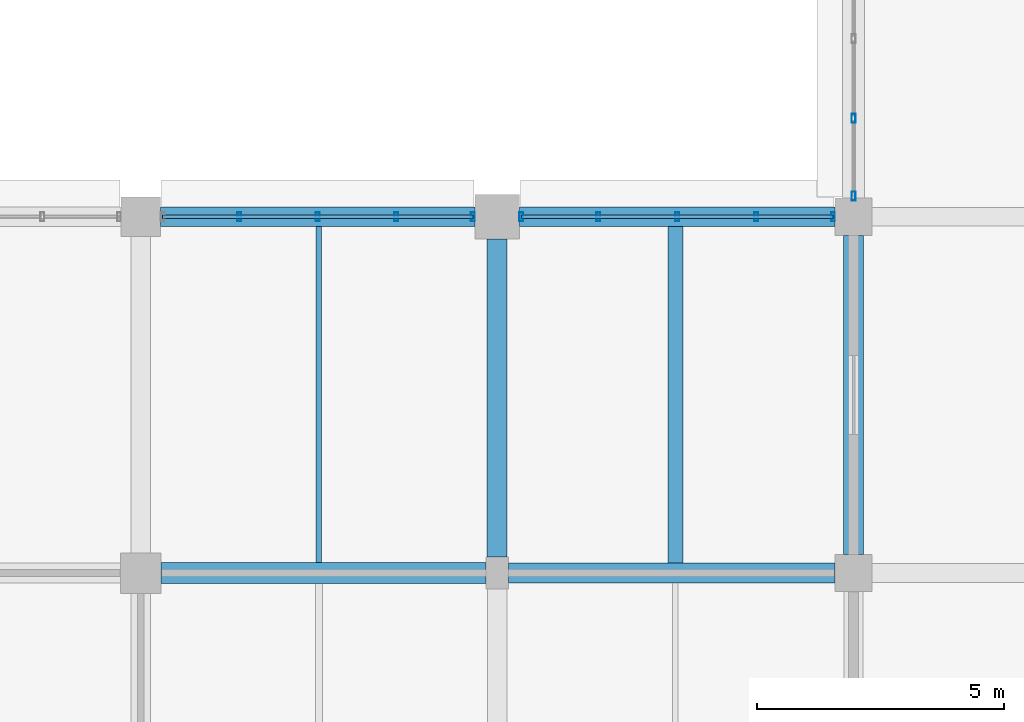
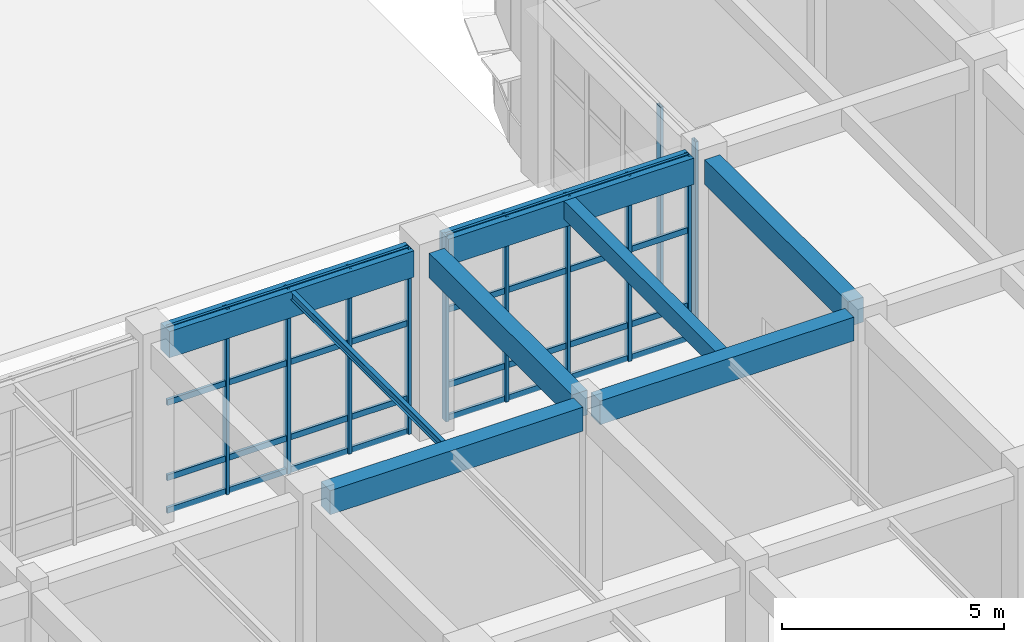
# One storey, part 18 of 160: 19 members, 8 beams, 3 elements without a shape of their own.
"""IFC4 building model written with IfcOpenShell, lengths in metres."""

from ifc_helpers import new_model, si_unit, direction, frame, origin, origin_2d, place, context, subcontext, project, spatial, rectangle, hollow_rectangle, i_section, extrude, material, material_profile, profile_set, type_object, element, aggregate, save


model = new_model("IFC4")

# Units and contexts
model_context = context("Model", 3, precision=1e-05, world=origin(), true_north=direction((0.0, 1.0)))
body_context = subcontext(model_context, "Body", "Model", "MODEL_VIEW")
ifc_project = project(units=[si_unit("LENGTHUNIT", "METRE"), si_unit("AREAUNIT", "SQUARE_METRE"), si_unit("VOLUMEUNIT", "CUBIC_METRE"), si_unit("PLANEANGLEUNIT", "RADIAN"), si_unit("MASSUNIT", "GRAM", prefix="KILO")], contexts=[model_context])

# Site, building, storey
site_placement = place(None, origin())
site = spatial("IfcSite", under=ifc_project, at=site_placement, CompositionType="ELEMENT")
building_placement = place(site_placement, origin())
building = spatial("IfcBuilding", under=site, at=building_placement, Name="Thalmaran Polytechnic", CompositionType="ELEMENT")
storey_placement = place(building_placement, origin())
storey = spatial("IfcBuildingStorey", under=building, at=storey_placement, Name="L00", CompositionType="ELEMENT", Elevation=0.0)

# Beams
ifc_material_1 = material(Name="Concrete C40/50", Category="concrete")
ifc_material_profile_1 = material_profile(ifc_material_1, rectangle(XDim=0.39990234375, YDim=0.64990234375, at=origin_2d()), Name="RC 400x650")
ifc_profile_set_1 = profile_set([ifc_material_profile_1], Name="Concrete C40/50")
beam_type_1 = type_object("IfcBeamType", Name="BM-RC06", PredefinedType="BEAM", material=ifc_profile_set_1)
beam_1_placement = place(storey_placement, frame((50.625, 14.39990234375, 4.764892578125), z_axis=(1.0, 0.0, 0.0), x_axis=(0.0, 1.0, 0.0)))
element("IfcBeam", 1, at=beam_1_placement, inside=storey, type_object=beam_type_1, Name="Grid Beam B06 L00 X(7,2)", PredefinedType="BEAM", context=body_context, shape_type="SweptSolid", body=[
    extrude(rectangle(XDim=0.39990234375, YDim=0.64990234375, at=origin_2d()), origin(), (0.0, 0.0, 1.0), 6.60009765625),
])
ifc_material_profile_2 = material_profile(ifc_material_1, rectangle(XDim=0.300048828125, YDim=0.5, at=origin_2d()), Name="RC 300x500")
ifc_profile_set_2 = profile_set([ifc_material_profile_2], Name="Concrete C40/50")
beam_type_2 = type_object("IfcBeamType", Name="BM-RC11", PredefinedType="JOIST", material=ifc_profile_set_2)
beam_2_placement = place(storey_placement, frame((54.0, 14.60009765625, 4.840087890625), z_axis=(0.0, 1.0, 0.0), x_axis=(-1.0, 0.0, 0.0)))
element("IfcBeam", 2, at=beam_2_placement, inside=storey, type_object=beam_type_2, Name="Secondary Floor Rib RB01 L00 (7,2)", PredefinedType="JOIST", context=body_context, shape_type="SweptSolid", body=[
    extrude(rectangle(XDim=0.300048828125, YDim=0.5, at=origin_2d()), origin(), (0.0, 0.0, 1.0), 6.7998046875),
])
ifc_material_2 = material(Name="Steel S355", Category="steel")
ifc_material_profile_3 = material_profile(ifc_material_2, i_section(OverallWidth=0.110107421875, OverallDepth=0.219970703125, WebThickness=0.005859375, FlangeThickness=0.00927734375, at=origin_2d()), Name="IPE 220")
ifc_profile_set_3 = profile_set([ifc_material_profile_3], Name="Steel S355")
beam_type_3 = type_object("IfcBeamType", Name="BM-SJ04", PredefinedType="JOIST", material=ifc_profile_set_3)
beam_3_placement = place(storey_placement, frame((46.800048828125, 14.610107421875, 4.97998046875), z_axis=(0.0, 1.0, 0.0), x_axis=(-1.0, 0.0, 0.0)))
element("IfcBeam", 3, at=beam_3_placement, inside=storey, type_object=beam_type_3, Name="Secondary Floor Rib SJ04 L00 (6,2)", PredefinedType="JOIST", context=body_context, shape_type="SweptSolid", body=[
    extrude(i_section(OverallWidth=0.110107421875, OverallDepth=0.219970703125, WebThickness=0.005859375, FlangeThickness=0.00927734375, at=origin_2d()), origin(), (0.0, 0.0, 1.0), 6.789794921875),
])
ifc_material_profile_4 = material_profile(ifc_material_1, rectangle(XDim=0.39990234375, YDim=0.719970703125, at=origin_2d()), Name="RC 400x720")
ifc_profile_set_4 = profile_set([ifc_material_profile_4], Name="Concrete C40/50")
beam_type_4 = type_object("IfcBeamType", Name="BM-SP01", PredefinedType="SPANDREL", material=ifc_profile_set_4)
beam_4_placement = place(storey_placement, frame((43.60009765625, 21.60009765625, 4.72998046875), z_axis=(1.0, 0.0, 0.0), x_axis=(0.0, 1.0, 0.0)))
element("IfcBeam", 4, at=beam_4_placement, inside=storey, type_object=beam_type_4, Name="Grid Beam SP01 L00 X(6,3)", PredefinedType="SPANDREL", context=body_context, shape_type="SweptSolid", body=[
    extrude(rectangle(XDim=0.39990234375, YDim=0.719970703125, at=origin_2d()), origin(), (0.0, 0.0, 1.0), 6.349853515625),
])
beam_5_placement = place(storey_placement, frame((50.85009765625, 21.60009765625, 4.72998046875), z_axis=(1.0, 0.0, 0.0), x_axis=(0.0, 1.0, 0.0)))
element("IfcBeam", 5, at=beam_5_placement, inside=storey, type_object=beam_type_4, Name="Grid Beam SP01 L00 X(7,3)", PredefinedType="SPANDREL", context=body_context, shape_type="SweptSolid", body=[
    extrude(rectangle(XDim=0.39990234375, YDim=0.719970703125, at=origin_2d()), origin(), (0.0, 0.0, 1.0), 6.375),
])
ifc_material_profile_5 = material_profile(ifc_material_1, rectangle(XDim=0.419921875, YDim=0.659912109375, at=origin_2d()), Name="RC 420x660")
ifc_profile_set_5 = profile_set([ifc_material_profile_5], Name="Concrete C40/50")
beam_type_5 = type_object("IfcBeamType", Name="BM-ZB04", PredefinedType="BEAM", material=ifc_profile_set_5)
beam_6_placement = place(storey_placement, frame((43.610107421875, 14.39990234375, 4.760009765625), z_axis=(1.0, 0.0, 0.0), x_axis=(0.0, 1.0, 0.0)))
element("IfcBeam", 6, at=beam_6_placement, inside=storey, type_object=beam_type_5, Name="Grid Beam ZB04 L00 X(6,2)", PredefinedType="BEAM", context=body_context, shape_type="SweptSolid", body=[
    extrude(rectangle(XDim=0.419921875, YDim=0.659912109375, at=origin_2d()), origin(), (0.0, 0.0, 1.0), 6.56494140625),
])
ifc_material_profile_6 = material_profile(ifc_material_1, rectangle(XDim=0.39990234375, YDim=0.68505859375, at=origin_2d()), Name="RC 400x685")
ifc_profile_set_6 = profile_set([ifc_material_profile_6], Name="Concrete C40/50")
beam_type_6 = type_object("IfcBeamType", Name="BM-ZB07", PredefinedType="BEAM", material=ifc_profile_set_6)
beam_7_placement = place(storey_placement, frame((50.39990234375, 14.72509765625, 4.74755859375), z_axis=(0.0, 1.0, 0.0), x_axis=(-1.0, 0.0, 0.0)))
element("IfcBeam", 7, at=beam_7_placement, inside=storey, type_object=beam_type_6, Name="Grid Beam ZB07 L00 Y(7,2)", PredefinedType="BEAM", context=body_context, shape_type="SweptSolid", body=[
    extrude(rectangle(XDim=0.39990234375, YDim=0.68505859375, at=origin_2d()), origin(), (0.0, 0.0, 1.0), 6.4248046875),
])
beam_8_placement = place(storey_placement, frame((57.60009765625, 14.77490234375, 4.74755859375), z_axis=(0.0, 1.0, 0.0), x_axis=(-1.0, 0.0, 0.0)))
element("IfcBeam", 8, at=beam_8_placement, inside=storey, type_object=beam_type_6, Name="Grid Beam ZB07 L00 Y(8,2)", PredefinedType="BEAM", context=body_context, shape_type="SweptSolid", body=[
    extrude(rectangle(XDim=0.39990234375, YDim=0.68505859375, at=origin_2d()), origin(), (0.0, 0.0, 1.0), 6.4501953125),
])

# Curtain wall, members
ifc_material_3 = material(Name="Aluminium 6063-T6", Category="aluminium")
curtain_wall_type = type_object("IfcCurtainWallType", Name="CW-UC01", PredefinedType="USERDEFINED", material=ifc_material_3)
curtain_wall_1_placement = place(storey_placement, origin())
curtain_wall_1 = element("IfcCurtainWall", 9, at=curtain_wall_1_placement, inside=storey, type_object=curtain_wall_type, Name="Curtain Wall CW-L00-052", ObjectType="UNITISED CURTAIN WALL", PredefinedType="USERDEFINED")
ifc_material_profile_7 = material_profile(ifc_material_3, hollow_rectangle(XDim=0.080078125, YDim=0.179931640625, WallThickness=0.0048828125, at=origin_2d()), Name="RHS 180x80x5.0")
ifc_profile_set_7 = profile_set([ifc_material_profile_7], Name="Aluminium 6063-T6")
member_type_1 = type_object("IfcMemberType", Name="CW-MUL1", PredefinedType="MULLION", material=ifc_profile_set_7)
member_1_placement = place(storey_placement, frame((45.1875, 21.60009765625, 0.0), z_axis=(0.0, 0.0, 1.0), x_axis=(1.0, 0.0, 0.0)))
member_1 = element("IfcMember", 10, at=member_1_placement, type_object=member_type_1, Name="CW-L00-052 Mullion 2", PredefinedType="MULLION", context=body_context, shape_type="SweptSolid", body=[
    extrude(hollow_rectangle(XDim=0.080078125, YDim=0.179931640625, WallThickness=0.0048828125, at=origin_2d()), origin(), (0.0, 0.0, 1.0), 5.090087890625),
])
member_2_placement = place(storey_placement, frame((46.77490234375, 21.60009765625, 0.0), z_axis=(0.0, 0.0, 1.0), x_axis=(1.0, 0.0, 0.0)))
member_2 = element("IfcMember", 11, at=member_2_placement, type_object=member_type_1, Name="CW-L00-052 Mullion 3", PredefinedType="MULLION", context=body_context, shape_type="SweptSolid", body=[
    extrude(hollow_rectangle(XDim=0.080078125, YDim=0.179931640625, WallThickness=0.0048828125, at=origin_2d()), origin(), (0.0, 0.0, 1.0), 5.090087890625),
])
member_3_placement = place(storey_placement, frame((48.362548828125, 21.60009765625, 0.0), z_axis=(0.0, 0.0, 1.0), x_axis=(1.0, 0.0, 0.0)))
member_3 = element("IfcMember", 12, at=member_3_placement, type_object=member_type_1, Name="CW-L00-052 Mullion 4", PredefinedType="MULLION", context=body_context, shape_type="SweptSolid", body=[
    extrude(hollow_rectangle(XDim=0.080078125, YDim=0.179931640625, WallThickness=0.0048828125, at=origin_2d()), origin(), (0.0, 0.0, 1.0), 5.090087890625),
])
member_4_placement = place(storey_placement, frame((49.909912109375, 21.60009765625, 0.0), z_axis=(0.0, 0.0, 1.0), x_axis=(1.0, 0.0, 0.0)))
member_4 = element("IfcMember", 13, at=member_4_placement, type_object=member_type_1, Name="CW-L00-052 Mullion 5", PredefinedType="MULLION", context=body_context, shape_type="SweptSolid", body=[
    extrude(hollow_rectangle(XDim=0.080078125, YDim=0.179931640625, WallThickness=0.0048828125, at=origin_2d()), origin(), (0.0, 0.0, 1.0), 5.090087890625),
])

curtain_wall_2_placement = place(storey_placement, origin())
curtain_wall_2 = element("IfcCurtainWall", 14, at=curtain_wall_2_placement, inside=storey, type_object=curtain_wall_type, Name="Curtain Wall CW-L00-053", ObjectType="UNITISED CURTAIN WALL", PredefinedType="USERDEFINED")
member_5_placement = place(storey_placement, frame((50.889892578125, 21.60009765625, 0.0), z_axis=(0.0, 0.0, 1.0), x_axis=(1.0, 0.0, 0.0)))
member_5 = element("IfcMember", 15, at=member_5_placement, type_object=member_type_1, Name="CW-L00-053 Mullion 1", PredefinedType="MULLION", context=body_context, shape_type="SweptSolid", body=[
    extrude(hollow_rectangle(XDim=0.080078125, YDim=0.179931640625, WallThickness=0.0048828125, at=origin_2d()), origin(), (0.0, 0.0, 1.0), 5.090087890625),
])
member_6_placement = place(storey_placement, frame((52.44384765625, 21.60009765625, 0.0), z_axis=(0.0, 0.0, 1.0), x_axis=(1.0, 0.0, 0.0)))
member_6 = element("IfcMember", 16, at=member_6_placement, type_object=member_type_1, Name="CW-L00-053 Mullion 2", PredefinedType="MULLION", context=body_context, shape_type="SweptSolid", body=[
    extrude(hollow_rectangle(XDim=0.080078125, YDim=0.179931640625, WallThickness=0.0048828125, at=origin_2d()), origin(), (0.0, 0.0, 1.0), 5.090087890625),
])
member_7_placement = place(storey_placement, frame((54.03759765625, 21.60009765625, 0.0), z_axis=(0.0, 0.0, 1.0), x_axis=(1.0, 0.0, 0.0)))
member_7 = element("IfcMember", 17, at=member_7_placement, type_object=member_type_1, Name="CW-L00-053 Mullion 3", PredefinedType="MULLION", context=body_context, shape_type="SweptSolid", body=[
    extrude(hollow_rectangle(XDim=0.080078125, YDim=0.179931640625, WallThickness=0.0048828125, at=origin_2d()), origin(), (0.0, 0.0, 1.0), 5.090087890625),
])
member_8_placement = place(storey_placement, frame((55.63134765625, 21.60009765625, 0.0), z_axis=(0.0, 0.0, 1.0), x_axis=(1.0, 0.0, 0.0)))
member_8 = element("IfcMember", 18, at=member_8_placement, type_object=member_type_1, Name="CW-L00-053 Mullion 4", PredefinedType="MULLION", context=body_context, shape_type="SweptSolid", body=[
    extrude(hollow_rectangle(XDim=0.080078125, YDim=0.179931640625, WallThickness=0.0048828125, at=origin_2d()), origin(), (0.0, 0.0, 1.0), 5.090087890625),
])
member_9_placement = place(storey_placement, frame((57.18505859375, 21.60009765625, 0.0), z_axis=(0.0, 0.0, 1.0), x_axis=(1.0, 0.0, 0.0)))
member_9 = element("IfcMember", 19, at=member_9_placement, type_object=member_type_1, Name="CW-L00-053 Mullion 5", PredefinedType="MULLION", context=body_context, shape_type="SweptSolid", body=[
    extrude(hollow_rectangle(XDim=0.080078125, YDim=0.179931640625, WallThickness=0.0048828125, at=origin_2d()), origin(), (0.0, 0.0, 1.0), 5.090087890625),
])

curtain_wall_3_placement = place(storey_placement, origin())
curtain_wall_3 = element("IfcCurtainWall", 20, at=curtain_wall_3_placement, inside=storey, type_object=curtain_wall_type, Name="Curtain Wall CW-L00-054", ObjectType="UNITISED CURTAIN WALL", PredefinedType="USERDEFINED")
member_10_placement = place(storey_placement, frame((57.60009765625, 22.014892578125, 0.0), z_axis=(0.0, 0.0, 1.0), x_axis=(1.0, 0.0, 0.0)))
member_10 = element("IfcMember", 21, at=member_10_placement, type_object=member_type_1, Name="CW-L00-054 Mullion 1", PredefinedType="MULLION", context=body_context, shape_type="SweptSolid", body=[
    extrude(hollow_rectangle(XDim=0.080078125, YDim=0.179931640625, WallThickness=0.0048828125, at=origin_2d()), origin(), (0.0, 0.0, 1.0), 5.090087890625),
])
member_11_placement = place(storey_placement, frame((57.60009765625, 23.58740234375, 0.0), z_axis=(0.0, 0.0, 1.0), x_axis=(1.0, 0.0, 0.0)))
member_11 = element("IfcMember", 22, at=member_11_placement, type_object=member_type_1, Name="CW-L00-054 Mullion 2", PredefinedType="MULLION", context=body_context, shape_type="SweptSolid", body=[
    extrude(hollow_rectangle(XDim=0.080078125, YDim=0.179931640625, WallThickness=0.0048828125, at=origin_2d()), origin(), (0.0, 0.0, 1.0), 5.090087890625),
])
aggregate(curtain_wall_3, [member_10, member_11])

# Member
ifc_material_profile_8 = material_profile(ifc_material_3, hollow_rectangle(XDim=0.070068359375, YDim=0.159912109375, WallThickness=0.00390625, at=origin_2d()), Name="AL 160x70x4.0")
ifc_profile_set_8 = profile_set([ifc_material_profile_8], Name="Aluminium 6063-T6")
member_type_2 = type_object("IfcMemberType", Name="CW-TRN1", PredefinedType="USERDEFINED", material=ifc_profile_set_8)
member_12_placement = place(storey_placement, frame((43.639892578125, 21.60009765625, 0.06005859375), z_axis=(1.0, 0.0, 0.0), x_axis=(0.0, 1.0, 0.0)))
member_12 = element("IfcMember", 23, at=member_12_placement, type_object=member_type_2, Name="CW-L00-052 Transom 1", ObjectType="TRANSOM", PredefinedType="USERDEFINED", context=body_context, shape_type="SweptSolid", body=[
    extrude(hollow_rectangle(XDim=0.070068359375, YDim=0.159912109375, WallThickness=0.00390625, at=origin_2d()), origin(), (0.0, 0.0, 1.0), 6.27001953125),
])

member_13_placement = place(storey_placement, frame((43.639892578125, 21.60009765625, 0.9599609375), z_axis=(1.0, 0.0, 0.0), x_axis=(0.0, 1.0, 0.0)))
member_13 = element("IfcMember", 24, at=member_13_placement, type_object=member_type_2, Name="CW-L00-052 Transom 2", ObjectType="TRANSOM", PredefinedType="USERDEFINED", context=body_context, shape_type="SweptSolid", body=[
    extrude(hollow_rectangle(XDim=0.070068359375, YDim=0.159912109375, WallThickness=0.00390625, at=origin_2d()), origin(), (0.0, 0.0, 1.0), 6.27001953125),
])

member_14_placement = place(storey_placement, frame((43.639892578125, 21.60009765625, 3.02490234375), z_axis=(1.0, 0.0, 0.0), x_axis=(0.0, 1.0, 0.0)))
member_14 = element("IfcMember", 25, at=member_14_placement, type_object=member_type_2, Name="CW-L00-052 Transom 3", ObjectType="TRANSOM", PredefinedType="USERDEFINED", context=body_context, shape_type="SweptSolid", body=[
    extrude(hollow_rectangle(XDim=0.070068359375, YDim=0.159912109375, WallThickness=0.00390625, at=origin_2d()), origin(), (0.0, 0.0, 1.0), 6.27001953125),
])

member_15_placement = place(storey_placement, frame((43.639892578125, 21.60009765625, 5.030029296875), z_axis=(1.0, 0.0, 0.0), x_axis=(0.0, 1.0, 0.0)))
member_15 = element("IfcMember", 26, at=member_15_placement, type_object=member_type_2, Name="CW-L00-052 Transom 4", ObjectType="TRANSOM", PredefinedType="USERDEFINED", context=body_context, shape_type="SweptSolid", body=[
    extrude(hollow_rectangle(XDim=0.070068359375, YDim=0.159912109375, WallThickness=0.00390625, at=origin_2d()), origin(), (0.0, 0.0, 1.0), 6.27001953125),
])

aggregate(curtain_wall_1, [member_1, member_2, member_3, member_4, member_12, member_13, member_14, member_15])

member_16_placement = place(storey_placement, frame((50.889892578125, 21.60009765625, 0.06005859375), z_axis=(1.0, 0.0, 0.0), x_axis=(0.0, 1.0, 0.0)))
member_16 = element("IfcMember", 27, at=member_16_placement, type_object=member_type_2, Name="CW-L00-053 Transom 1", ObjectType="TRANSOM", PredefinedType="USERDEFINED", context=body_context, shape_type="SweptSolid", body=[
    extrude(hollow_rectangle(XDim=0.070068359375, YDim=0.159912109375, WallThickness=0.00390625, at=origin_2d()), origin(), (0.0, 0.0, 1.0), 6.295166015625),
])

member_17_placement = place(storey_placement, frame((50.889892578125, 21.60009765625, 0.9599609375), z_axis=(1.0, 0.0, 0.0), x_axis=(0.0, 1.0, 0.0)))
member_17 = element("IfcMember", 28, at=member_17_placement, type_object=member_type_2, Name="CW-L00-053 Transom 2", ObjectType="TRANSOM", PredefinedType="USERDEFINED", context=body_context, shape_type="SweptSolid", body=[
    extrude(hollow_rectangle(XDim=0.070068359375, YDim=0.159912109375, WallThickness=0.00390625, at=origin_2d()), origin(), (0.0, 0.0, 1.0), 6.295166015625),
])

member_18_placement = place(storey_placement, frame((50.889892578125, 21.60009765625, 3.02490234375), z_axis=(1.0, 0.0, 0.0), x_axis=(0.0, 1.0, 0.0)))
member_18 = element("IfcMember", 29, at=member_18_placement, type_object=member_type_2, Name="CW-L00-053 Transom 3", ObjectType="TRANSOM", PredefinedType="USERDEFINED", context=body_context, shape_type="SweptSolid", body=[
    extrude(hollow_rectangle(XDim=0.070068359375, YDim=0.159912109375, WallThickness=0.00390625, at=origin_2d()), origin(), (0.0, 0.0, 1.0), 6.295166015625),
])

member_19_placement = place(storey_placement, frame((50.889892578125, 21.60009765625, 5.030029296875), z_axis=(1.0, 0.0, 0.0), x_axis=(0.0, 1.0, 0.0)))
member_19 = element("IfcMember", 30, at=member_19_placement, type_object=member_type_2, Name="CW-L00-053 Transom 4", ObjectType="TRANSOM", PredefinedType="USERDEFINED", context=body_context, shape_type="SweptSolid", body=[
    extrude(hollow_rectangle(XDim=0.070068359375, YDim=0.159912109375, WallThickness=0.00390625, at=origin_2d()), origin(), (0.0, 0.0, 1.0), 6.295166015625),
])

aggregate(curtain_wall_2, [member_5, member_6, member_7, member_8, member_9, member_16, member_17, member_18, member_19])

save(model, "model.ifc")
